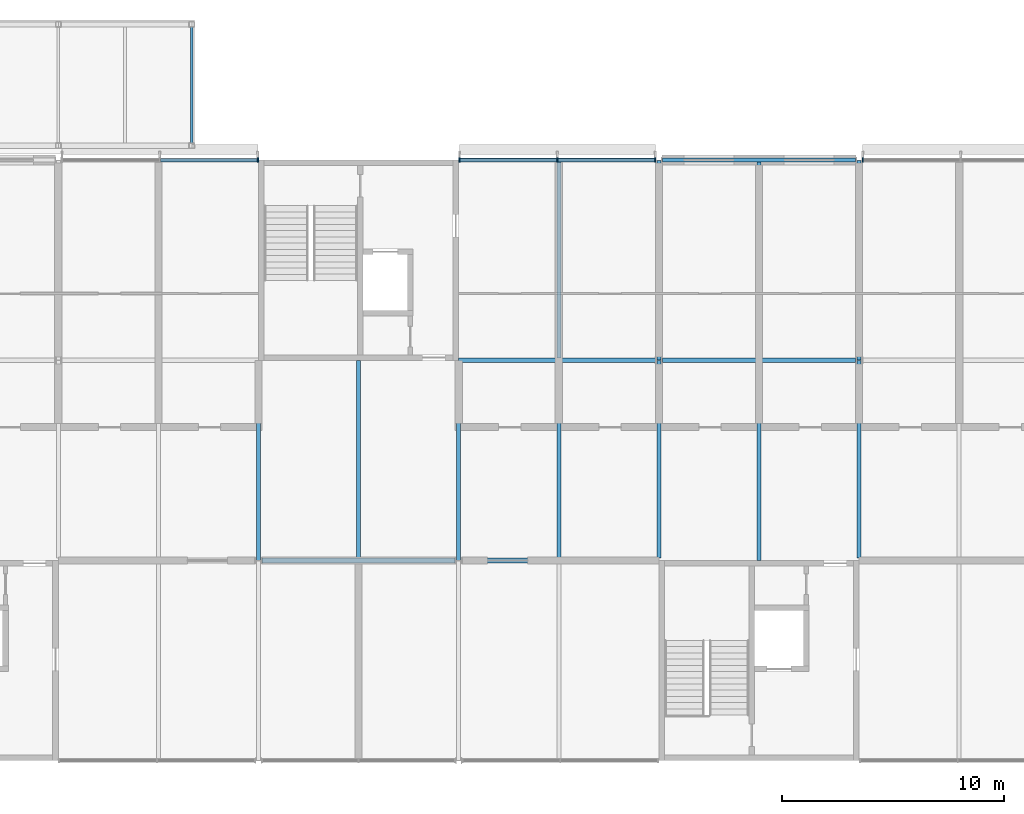
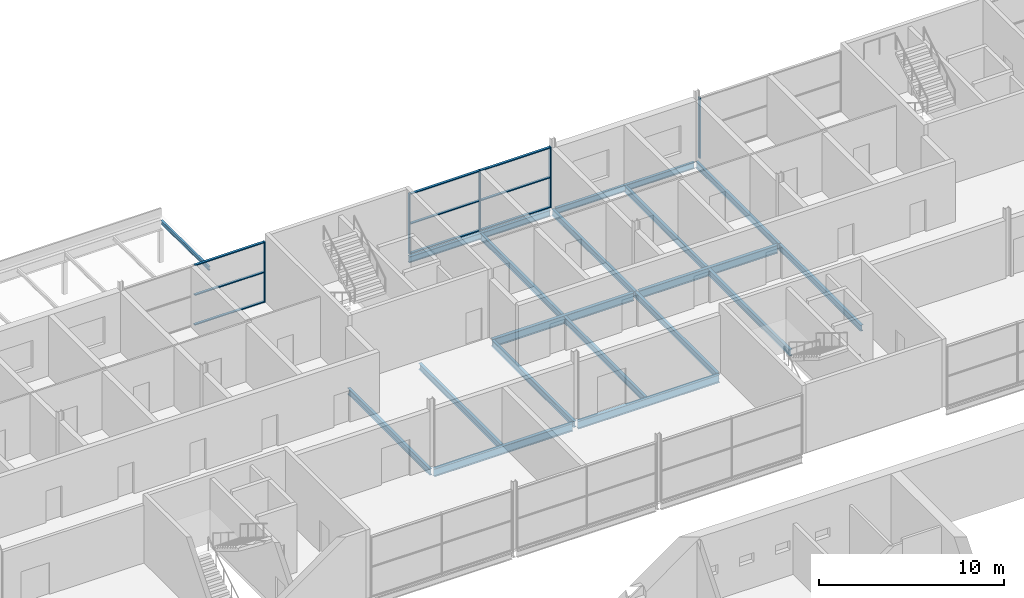
# One storey, part 50 of 97: 18 beams, 14 members, 3 elements without a shape of their own.
"""IFC4 building model written with IfcOpenShell, lengths in metres."""

from ifc_helpers import new_model, si_unit, direction, frame, origin, origin_2d, place, context, subcontext, project, spatial, rectangle, i_section, extrude, material, layer, layer_set, material_profile, profile_set, type_object, element, aggregate, save


model = new_model("IFC4")

# Units and contexts
model_context = context("Model", 3, precision=1e-05, world=origin(), true_north=direction((0.0, 1.0)))
body_context = subcontext(model_context, "Body", "Model", "MODEL_VIEW")
ifc_project = project(units=[si_unit("LENGTHUNIT", "METRE"), si_unit("AREAUNIT", "SQUARE_METRE"), si_unit("VOLUMEUNIT", "CUBIC_METRE"), si_unit("PLANEANGLEUNIT", "RADIAN"), si_unit("MASSUNIT", "GRAM", prefix="KILO")], contexts=[model_context])

# Site, building, storey
site_placement = place(None, origin())
site = spatial("IfcSite", under=ifc_project, at=site_placement, CompositionType="ELEMENT")
building_placement = place(site_placement, origin())
building = spatial("IfcBuilding", under=site, at=building_placement, Name="Corbel Yard City Hall", CompositionType="ELEMENT")
storey_placement = place(building_placement, frame((0.0, 0.0, 6.0)))
storey = spatial("IfcBuildingStorey", under=building, at=storey_placement, Name="L01", CompositionType="ELEMENT", Elevation=6.0)

# Beams
ifc_material_1 = material(Name="Steel Grade 300 (300 MPa yield)", Category="steel")
ifc_material_profile_1 = material_profile(ifc_material_1, i_section(OverallWidth=0.177978515625, OverallDepth=0.403076171875, WebThickness=0.007568359375, FlangeThickness=0.010986328125, at=origin_2d()), Name="410UB53.7")
ifc_profile_set_1 = profile_set([ifc_material_profile_1], Name="Steel Grade 300 (300 MPa yield)")
beam_type_1 = type_object("IfcBeamType", Name="Beam 410UB53.7", PredefinedType="BEAM", material=ifc_profile_set_1)
for number, where, z_axis, x_axis, name in (
    (1, (99.0, 99.0078125, -0.3515625), (0.0, 1.0, 0.0), (-1.0, 0.0, 0.0), "Beam 410UB53.7 SB6 L01floor"),
    (2, (108.0, 99.0078125, -0.3515625), (0.0, 1.0, 0.0), (-1.0, 0.0, 0.0), "Beam 410UB53.7 SB6 L01floor"),
    (3, (117.0, 99.1044921875, -0.3515625), (0.0, 1.0, 0.0), (-1.0, 0.0, 0.0), "Beam 410UB53.7 SB6 L01floor"),
):
    element("IfcBeam", number, at=place(storey_placement, frame(where, z_axis=z_axis, x_axis=x_axis)), inside=storey, type_object=beam_type_1, Name=name, PredefinedType="BEAM", context=body_context, shape_type="SweptSolid", body=[
        extrude(i_section(OverallWidth=0.177978515625, OverallDepth=0.403076171875, WebThickness=0.007568359375, FlangeThickness=0.010986328125, at=origin_2d()), origin(), (0.0, 0.0, 1.0), 8.8876953125),
    ])
beam_1_placement = place(storey_placement, frame((117.0, 108.0078125, -0.3515625), z_axis=(0.0, 1.0, 0.0), x_axis=(-1.0, 0.0, 0.0)))
element("IfcBeam", 4, at=beam_1_placement, inside=storey, type_object=beam_type_1, Name="Beam 410UB53.7 SB6 L01floor", PredefinedType="BEAM", context=body_context, shape_type="SweptSolid", body=[
    extrude(i_section(OverallWidth=0.177978515625, OverallDepth=0.403076171875, WebThickness=0.007568359375, FlangeThickness=0.010986328125, at=origin_2d()), origin(), (0.0, 0.0, 1.0), 8.986328125),
])
beam_2_placement = place(storey_placement, frame((126.0, 99.1044921875, -0.3515625), z_axis=(0.0, 1.0, 0.0), x_axis=(-1.0, 0.0, 0.0)))
element("IfcBeam", 5, at=beam_2_placement, inside=storey, type_object=beam_type_1, Name="Beam 410UB53.7 SB6 L01floor", PredefinedType="BEAM", context=body_context, shape_type="SweptSolid", body=[
    extrude(i_section(OverallWidth=0.177978515625, OverallDepth=0.403076171875, WebThickness=0.007568359375, FlangeThickness=0.010986328125, at=origin_2d()), origin(), (0.0, 0.0, 1.0), 8.8876953125),
])
beam_3_placement = place(storey_placement, frame((126.0, 108.0078125, -0.3515625), z_axis=(0.0, 1.0, 0.0), x_axis=(-1.0, 0.0, 0.0)))
element("IfcBeam", 6, at=beam_3_placement, inside=storey, type_object=beam_type_1, Name="Beam 410UB53.7 SB6 L01floor", PredefinedType="BEAM", context=body_context, shape_type="SweptSolid", body=[
    extrude(i_section(OverallWidth=0.177978515625, OverallDepth=0.403076171875, WebThickness=0.007568359375, FlangeThickness=0.010986328125, at=origin_2d()), origin(), (0.0, 0.0, 1.0), 8.986328125),
])
ifc_material_profile_2 = material_profile(ifc_material_1, i_section(OverallWidth=0.177978515625, OverallDepth=0.406005859375, WebThickness=0.0078125, FlangeThickness=0.0126953125, at=origin_2d()), Name="410UB59.7")
ifc_profile_set_2 = profile_set([ifc_material_profile_2], Name="Steel Grade 300 (300 MPa yield)")
beam_type_2 = type_object("IfcBeamType", Name="Edge beam 410UB59.7", PredefinedType="BEAM", material=ifc_profile_set_2)
beam_4_placement = place(storey_placement, frame((108.0, 117.0, -0.35302734375), z_axis=(1.0, 0.0, 0.0), x_axis=(0.0, 1.0, 0.0)))
element("IfcBeam", 7, at=beam_4_placement, inside=storey, type_object=beam_type_2, Name="Edge beam 410UB59.7 EB2 L01floor", PredefinedType="BEAM", context=body_context, shape_type="SweptSolid", body=[
    extrude(i_section(OverallWidth=0.177978515625, OverallDepth=0.406005859375, WebThickness=0.0078125, FlangeThickness=0.0126953125, at=origin_2d()), origin(), (0.0, 0.0, 1.0), 8.842529296875),
])
beam_5_placement = place(storey_placement, frame((117.157470703125, 117.0, -0.35302734375), z_axis=(1.0, 0.0, 0.0), x_axis=(0.0, 1.0, 0.0)))
element("IfcBeam", 8, at=beam_5_placement, inside=storey, type_object=beam_type_2, Name="Edge beam 410UB59.7 EB2 L01floor", PredefinedType="BEAM", context=body_context, shape_type="SweptSolid", body=[
    extrude(i_section(OverallWidth=0.177978515625, OverallDepth=0.406005859375, WebThickness=0.0078125, FlangeThickness=0.0126953125, at=origin_2d()), origin(), (0.0, 0.0, 1.0), 8.68505859375),
])
ifc_material_profile_3 = material_profile(ifc_material_1, i_section(OverallWidth=0.208984375, OverallDepth=0.528076171875, WebThickness=0.009521484375, FlangeThickness=0.01318359375, at=origin_2d()), Name="530UB82.0")
ifc_profile_set_3 = profile_set([ifc_material_profile_3], Name="Steel Grade 300 (300 MPa yield)")
beam_type_3 = type_object("IfcBeamType", Name="Girder 530UB82.0", PredefinedType="BEAM", material=ifc_profile_set_3)
beam_6_placement = place(storey_placement, frame((99.16357421875, 99.0, -0.4140625), z_axis=(1.0, 0.0, 0.0), x_axis=(0.0, 1.0, 0.0)))
element("IfcBeam", 9, at=beam_6_placement, inside=storey, type_object=beam_type_3, Name="Girder 530UB82.0 GB3 L01floor", PredefinedType="BEAM", context=body_context, shape_type="SweptSolid", body=[
    extrude(i_section(OverallWidth=0.208984375, OverallDepth=0.528076171875, WebThickness=0.009521484375, FlangeThickness=0.01318359375, at=origin_2d()), origin(), (0.0, 0.0, 1.0), 8.6728515625),
])
for number, where, z_axis, x_axis, name in (
    (10, (108.16357421875, 99.0, -0.4140625), (1.0, 0.0, 0.0), (0.0, 1.0, 0.0), "Girder 530UB82.0 GB3 L01floor"),
    (11, (108.0, 108.0, -0.4140625), (1.0, 0.0, 0.0), (0.0, 1.0, 0.0), "Girder 530UB82.0 GB3 L01floor"),
):
    element("IfcBeam", number, at=place(storey_placement, frame(where, z_axis=z_axis, x_axis=x_axis)), inside=storey, type_object=beam_type_3, Name=name, PredefinedType="BEAM", context=body_context, shape_type="SweptSolid", body=[
        extrude(i_section(OverallWidth=0.208984375, OverallDepth=0.528076171875, WebThickness=0.009521484375, FlangeThickness=0.01318359375, at=origin_2d()), origin(), (0.0, 0.0, 1.0), 8.83642578125),
    ])
beam_7_placement = place(storey_placement, frame((117.16357421875, 108.0, -0.4140625), z_axis=(1.0, 0.0, 0.0), x_axis=(0.0, 1.0, 0.0)))
element("IfcBeam", 12, at=beam_7_placement, inside=storey, type_object=beam_type_3, Name="Girder 530UB82.0 GB3 L01floor", PredefinedType="BEAM", context=body_context, shape_type="SweptSolid", body=[
    extrude(i_section(OverallWidth=0.208984375, OverallDepth=0.528076171875, WebThickness=0.009521484375, FlangeThickness=0.01318359375, at=origin_2d()), origin(), (0.0, 0.0, 1.0), 8.6728515625),
])

# Curtain wall, member
ifc_material_2 = material(Name="Aluminium extrusion", Category="aluminium")
ifc_layer = layer(ifc_material_2, 0.199951171875)
ifc_layer_set = layer_set([ifc_layer], Name="Aluminium extrusion")
curtain_wall_type = type_object("IfcCurtainWallType", Name="CW1", PredefinedType="USERDEFINED", material=ifc_layer_set)
curtain_wall_1_placement = place(storey_placement, origin())
curtain_wall_1 = element("IfcCurtainWall", 13, at=curtain_wall_1_placement, inside=storey, type_object=curtain_wall_type, Name="Curtain wall CW1 L01", ObjectType="CURTAIN WALL", PredefinedType="USERDEFINED")
ifc_material_profile_4 = material_profile(ifc_material_2, rectangle(XDim=0.199951171875, YDim=0.06494140625, at=origin_2d()), Name="200x65")
ifc_profile_set_4 = profile_set([ifc_material_profile_4], Name="Aluminium extrusion")
member_type_1 = type_object("IfcMemberType", Name="ML1", PredefinedType="MULLION", material=ifc_profile_set_4)
member_1_placement = place(storey_placement, frame((98.967529296875, 117.0, 0.0), z_axis=(0.0, 0.0, 1.0), x_axis=(0.0, 1.0, 0.0)))
member_1 = element("IfcMember", 14, at=member_1_placement, type_object=member_type_1, Name="CW1 mullion 3", PredefinedType="MULLION", context=body_context, shape_type="SweptSolid", body=[
    extrude(rectangle(XDim=0.199951171875, YDim=0.06494140625, at=origin_2d()), origin(), (0.0, 0.0, 1.0), 3.990966796875),
])

# Curtain wall, members
curtain_wall_2_placement = place(storey_placement, origin())
curtain_wall_2 = element("IfcCurtainWall", 15, at=curtain_wall_2_placement, inside=storey, type_object=curtain_wall_type, Name="Curtain wall CW1 L01", ObjectType="CURTAIN WALL", PredefinedType="USERDEFINED")
member_2_placement = place(storey_placement, frame((108.032470703125, 117.0, 0.0), z_axis=(0.0, 0.0, 1.0), x_axis=(0.0, 1.0, 0.0)))
member_2 = element("IfcMember", 16, at=member_2_placement, type_object=member_type_1, Name="CW1 mullion 1", PredefinedType="MULLION", context=body_context, shape_type="SweptSolid", body=[
    extrude(rectangle(XDim=0.199951171875, YDim=0.06494140625, at=origin_2d()), origin(), (0.0, 0.0, 1.0), 3.990966796875),
])
member_3_placement = place(storey_placement, frame((112.43505859375, 117.0, 0.0), z_axis=(0.0, 0.0, 1.0), x_axis=(0.0, 1.0, 0.0)))
member_3 = element("IfcMember", 17, at=member_3_placement, type_object=member_type_1, Name="CW1 mullion 2", PredefinedType="MULLION", context=body_context, shape_type="SweptSolid", body=[
    extrude(rectangle(XDim=0.199951171875, YDim=0.06494140625, at=origin_2d()), origin(), (0.0, 0.0, 1.0), 3.990966796875),
])
member_4_placement = place(storey_placement, frame((116.83740234375, 117.0, 0.0), z_axis=(0.0, 0.0, 1.0), x_axis=(0.0, 1.0, 0.0)))
member_4 = element("IfcMember", 18, at=member_4_placement, type_object=member_type_1, Name="CW1 mullion 3", PredefinedType="MULLION", context=body_context, shape_type="SweptSolid", body=[
    extrude(rectangle(XDim=0.199951171875, YDim=0.06494140625, at=origin_2d()), origin(), (0.0, 0.0, 1.0), 3.990966796875),
])

# Curtain wall, member
curtain_wall_3_placement = place(storey_placement, origin())
curtain_wall_3 = element("IfcCurtainWall", 19, at=curtain_wall_3_placement, inside=storey, type_object=curtain_wall_type, Name="Curtain wall CW1 L01", ObjectType="CURTAIN WALL", PredefinedType="USERDEFINED")
member_5_placement = place(storey_placement, frame((126.16259765625, 117.0, 0.0), z_axis=(0.0, 0.0, 1.0), x_axis=(0.0, 1.0, 0.0)))
member_5 = element("IfcMember", 20, at=member_5_placement, type_object=member_type_1, Name="CW1 mullion 1", PredefinedType="MULLION", context=body_context, shape_type="SweptSolid", body=[
    extrude(rectangle(XDim=0.199951171875, YDim=0.06494140625, at=origin_2d()), origin(), (0.0, 0.0, 1.0), 3.990966796875),
])
aggregate(curtain_wall_3, [member_5])

# Beams
ifc_material_profile_5 = material_profile(ifc_material_1, i_section(OverallWidth=0.1240234375, OverallDepth=0.248046875, WebThickness=0.0048828125, FlangeThickness=0.008056640625, at=origin_2d()), Name="250UB25.7")
ifc_profile_set_5 = profile_set([ifc_material_profile_5], Name="Steel Grade 300 (300 MPa yield)")
beam_type_4 = type_object("IfcBeamType", Name="Portico Roof Beam 250UB25.7", PredefinedType="BEAM", material=ifc_profile_set_5)
beam_8_placement = place(storey_placement, frame((96.0, 117.77490234375, 2.766357421875), z_axis=(0.0, 0.999922030764, -0.01248728921), x_axis=(-1.0, 0.0, 0.0)))
element("IfcBeam", 21, at=beam_8_placement, inside=storey, type_object=beam_type_4, Name="Portico Roof Beam 10", PredefinedType="BEAM", context=body_context, shape_type="SweptSolid", body=[
    extrude(i_section(OverallWidth=0.1240234375, OverallDepth=0.248046875, WebThickness=0.0048828125, FlangeThickness=0.008056640625, at=origin_2d()), origin(), (0.0, 0.0, 1.0), 5.20068359375),
])
ifc_material_profile_6 = material_profile(ifc_material_1, i_section(OverallWidth=0.177978515625, OverallDepth=0.403076171875, WebThickness=0.007568359375, FlangeThickness=0.010986328125, at=origin_2d()), Name="410UB53.7")
ifc_profile_set_6 = profile_set([ifc_material_profile_6], Name="Steel Grade 300 (300 MPa yield)")
beam_type_5 = type_object("IfcBeamType", Name="Secondary beam 410UB53.7", PredefinedType="JOIST", material=ifc_profile_set_6)
beam_9_placement = place(storey_placement, frame((103.5, 99.1044921875, -0.3515625), z_axis=(0.0, 1.0, 0.0), x_axis=(-1.0, 0.0, 0.0)))
element("IfcBeam", 22, at=beam_9_placement, inside=storey, type_object=beam_type_5, Name="Secondary beam 410UB53.7 SB5 L01floor", PredefinedType="JOIST", context=body_context, shape_type="SweptSolid", body=[
    extrude(i_section(OverallWidth=0.177978515625, OverallDepth=0.403076171875, WebThickness=0.007568359375, FlangeThickness=0.010986328125, at=origin_2d()), origin(), (0.0, 0.0, 1.0), 8.8955078125),
])
beam_10_placement = place(storey_placement, frame((112.5, 99.1044921875, -0.3515625), z_axis=(0.0, 1.0, 0.0), x_axis=(-1.0, 0.0, 0.0)))
element("IfcBeam", 23, at=beam_10_placement, inside=storey, type_object=beam_type_5, Name="Secondary beam 410UB53.7 SB5 L01floor", PredefinedType="JOIST", context=body_context, shape_type="SweptSolid", body=[
    extrude(i_section(OverallWidth=0.177978515625, OverallDepth=0.403076171875, WebThickness=0.007568359375, FlangeThickness=0.010986328125, at=origin_2d()), origin(), (0.0, 0.0, 1.0), 8.791015625),
])
beam_11_placement = place(storey_placement, frame((112.5, 108.1044921875, -0.3515625), z_axis=(0.0, 1.0, 0.0), x_axis=(-1.0, 0.0, 0.0)))
element("IfcBeam", 24, at=beam_11_placement, inside=storey, type_object=beam_type_5, Name="Secondary beam 410UB53.7 SB5 L01floor", PredefinedType="JOIST", context=body_context, shape_type="SweptSolid", body=[
    extrude(i_section(OverallWidth=0.177978515625, OverallDepth=0.403076171875, WebThickness=0.007568359375, FlangeThickness=0.010986328125, at=origin_2d()), origin(), (0.0, 0.0, 1.0), 8.806396484375),
])
beam_12_placement = place(storey_placement, frame((121.5, 99.0, -0.3515625), z_axis=(0.0, 1.0, 0.0), x_axis=(-1.0, 0.0, 0.0)))
element("IfcBeam", 25, at=beam_12_placement, inside=storey, type_object=beam_type_5, Name="Secondary beam 410UB53.7 SB5 L01floor", PredefinedType="JOIST", context=body_context, shape_type="SweptSolid", body=[
    extrude(i_section(OverallWidth=0.177978515625, OverallDepth=0.403076171875, WebThickness=0.007568359375, FlangeThickness=0.010986328125, at=origin_2d()), origin(), (0.0, 0.0, 1.0), 8.8955078125),
])
beam_13_placement = place(storey_placement, frame((121.5, 108.1044921875, -0.3515625), z_axis=(0.0, 1.0, 0.0), x_axis=(-1.0, 0.0, 0.0)))
element("IfcBeam", 26, at=beam_13_placement, inside=storey, type_object=beam_type_5, Name="Secondary beam 410UB53.7 SB5 L01floor", PredefinedType="JOIST", context=body_context, shape_type="SweptSolid", body=[
    extrude(i_section(OverallWidth=0.177978515625, OverallDepth=0.403076171875, WebThickness=0.007568359375, FlangeThickness=0.010986328125, at=origin_2d()), origin(), (0.0, 0.0, 1.0), 8.806396484375),
])

# Member
ifc_material_profile_7 = material_profile(ifc_material_2, rectangle(XDim=0.14990234375, YDim=0.06494140625, at=origin_2d()), Name="150x65")
ifc_profile_set_7 = profile_set([ifc_material_profile_7], Name="Aluminium extrusion")
member_type_2 = type_object("IfcMemberType", Name="TR1", PredefinedType="USERDEFINED", material=ifc_profile_set_7)
member_6_placement = place(storey_placement, frame((94.597412109375, 117.0, 0.032470703125), z_axis=(1.0, 0.0, 0.0), x_axis=(0.0, 1.0, 0.0)))
member_6 = element("IfcMember", 27, at=member_6_placement, type_object=member_type_2, Name="CW1 transom 2.1", ObjectType="TRANSOM", PredefinedType="USERDEFINED", context=body_context, shape_type="SweptSolid", body=[
    extrude(rectangle(XDim=0.14990234375, YDim=0.06494140625, at=origin_2d()), origin(), (0.0, 0.0, 1.0), 4.337646484375),
])

member_7_placement = place(storey_placement, frame((94.597412109375, 117.0, 1.99560546875), z_axis=(1.0, 0.0, 0.0), x_axis=(0.0, 1.0, 0.0)))
member_7 = element("IfcMember", 28, at=member_7_placement, type_object=member_type_2, Name="CW1 transom 2.2", ObjectType="TRANSOM", PredefinedType="USERDEFINED", context=body_context, shape_type="SweptSolid", body=[
    extrude(rectangle(XDim=0.14990234375, YDim=0.06494140625, at=origin_2d()), origin(), (0.0, 0.0, 1.0), 4.337646484375),
])

member_8_placement = place(storey_placement, frame((94.597412109375, 117.0, 3.95849609375), z_axis=(1.0, 0.0, 0.0), x_axis=(0.0, 1.0, 0.0)))
member_8 = element("IfcMember", 29, at=member_8_placement, type_object=member_type_2, Name="CW1 transom 2.3", ObjectType="TRANSOM", PredefinedType="USERDEFINED", context=body_context, shape_type="SweptSolid", body=[
    extrude(rectangle(XDim=0.14990234375, YDim=0.06494140625, at=origin_2d()), origin(), (0.0, 0.0, 1.0), 4.337646484375),
])

aggregate(curtain_wall_1, [member_1, member_6, member_7, member_8])

member_9_placement = place(storey_placement, frame((108.06494140625, 117.0, 0.032470703125), z_axis=(1.0, 0.0, 0.0), x_axis=(0.0, 1.0, 0.0)))
member_9 = element("IfcMember", 30, at=member_9_placement, type_object=member_type_2, Name="CW1 transom 1.1", ObjectType="TRANSOM", PredefinedType="USERDEFINED", context=body_context, shape_type="SweptSolid", body=[
    extrude(rectangle(XDim=0.14990234375, YDim=0.06494140625, at=origin_2d()), origin(), (0.0, 0.0, 1.0), 4.337646484375),
])

member_10_placement = place(storey_placement, frame((108.06494140625, 117.0, 1.99560546875), z_axis=(1.0, 0.0, 0.0), x_axis=(0.0, 1.0, 0.0)))
member_10 = element("IfcMember", 31, at=member_10_placement, type_object=member_type_2, Name="CW1 transom 1.2", ObjectType="TRANSOM", PredefinedType="USERDEFINED", context=body_context, shape_type="SweptSolid", body=[
    extrude(rectangle(XDim=0.14990234375, YDim=0.06494140625, at=origin_2d()), origin(), (0.0, 0.0, 1.0), 4.337646484375),
])

member_11_placement = place(storey_placement, frame((108.06494140625, 117.0, 3.95849609375), z_axis=(1.0, 0.0, 0.0), x_axis=(0.0, 1.0, 0.0)))
member_11 = element("IfcMember", 32, at=member_11_placement, type_object=member_type_2, Name="CW1 transom 1.3", ObjectType="TRANSOM", PredefinedType="USERDEFINED", context=body_context, shape_type="SweptSolid", body=[
    extrude(rectangle(XDim=0.14990234375, YDim=0.06494140625, at=origin_2d()), origin(), (0.0, 0.0, 1.0), 4.337646484375),
])

member_12_placement = place(storey_placement, frame((112.467529296875, 117.0, 0.032470703125), z_axis=(1.0, 0.0, 0.0), x_axis=(0.0, 1.0, 0.0)))
member_12 = element("IfcMember", 33, at=member_12_placement, type_object=member_type_2, Name="CW1 transom 2.1", ObjectType="TRANSOM", PredefinedType="USERDEFINED", context=body_context, shape_type="SweptSolid", body=[
    extrude(rectangle(XDim=0.14990234375, YDim=0.06494140625, at=origin_2d()), origin(), (0.0, 0.0, 1.0), 4.33740234375),
])

member_13_placement = place(storey_placement, frame((112.467529296875, 117.0, 1.99560546875), z_axis=(1.0, 0.0, 0.0), x_axis=(0.0, 1.0, 0.0)))
member_13 = element("IfcMember", 34, at=member_13_placement, type_object=member_type_2, Name="CW1 transom 2.2", ObjectType="TRANSOM", PredefinedType="USERDEFINED", context=body_context, shape_type="SweptSolid", body=[
    extrude(rectangle(XDim=0.14990234375, YDim=0.06494140625, at=origin_2d()), origin(), (0.0, 0.0, 1.0), 4.33740234375),
])

member_14_placement = place(storey_placement, frame((112.467529296875, 117.0, 3.95849609375), z_axis=(1.0, 0.0, 0.0), x_axis=(0.0, 1.0, 0.0)))
member_14 = element("IfcMember", 35, at=member_14_placement, type_object=member_type_2, Name="CW1 transom 2.3", ObjectType="TRANSOM", PredefinedType="USERDEFINED", context=body_context, shape_type="SweptSolid", body=[
    extrude(rectangle(XDim=0.14990234375, YDim=0.06494140625, at=origin_2d()), origin(), (0.0, 0.0, 1.0), 4.33740234375),
])

aggregate(curtain_wall_2, [member_2, member_3, member_4, member_9, member_10, member_11, member_12, member_13, member_14])

save(model, "model.ifc")
